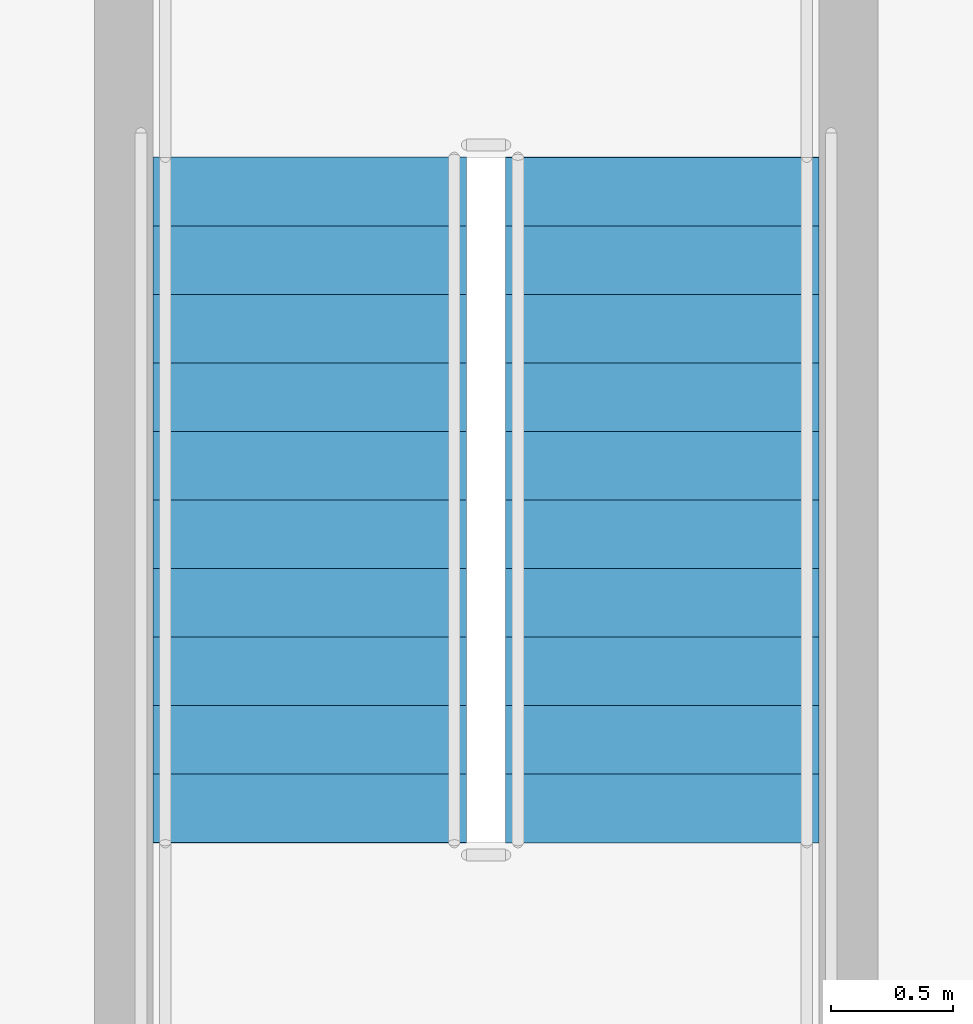
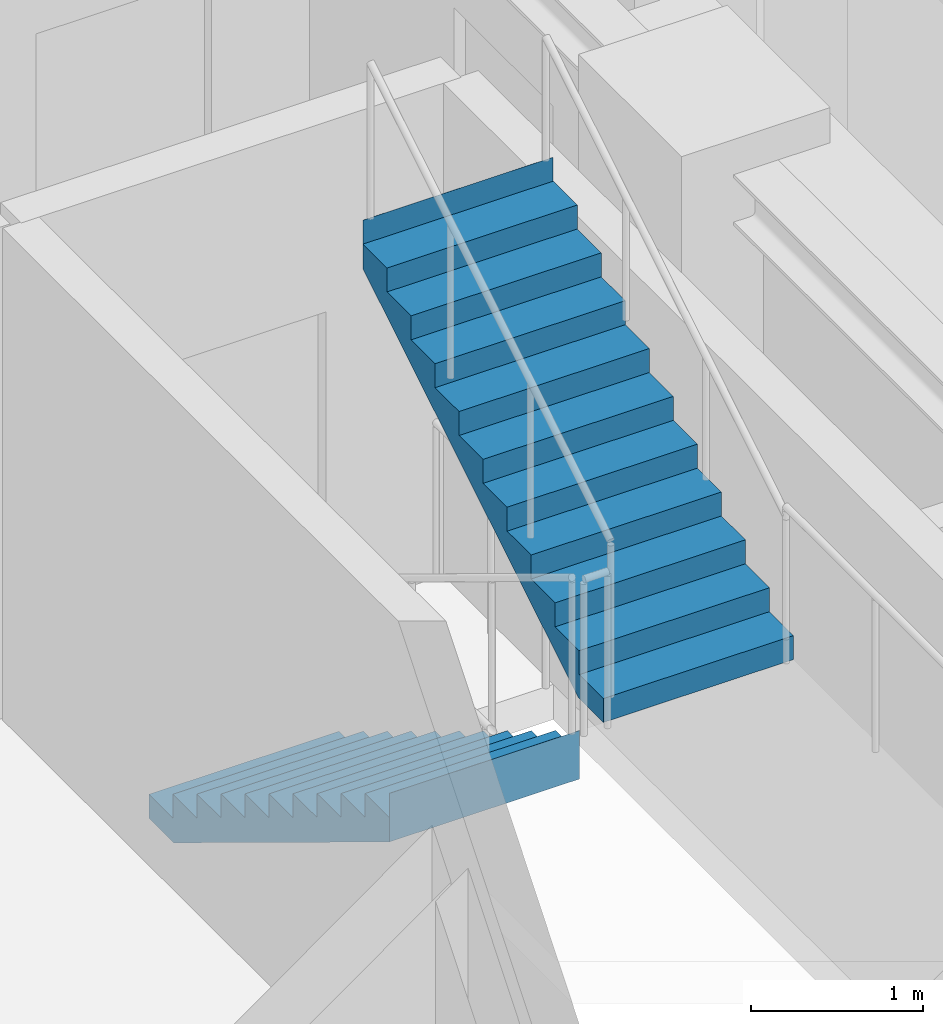
# One storey, part 9 of 12: 2 stair flights, 1 element without a shape of its own.
"""IFC4 building model written with IfcOpenShell, lengths in metres."""

from ifc_helpers import new_model, si_unit, direction, frame, origin, place, context, subcontext, project, spatial, polyline, outline, extrude, material, type_object, element, aggregate, save


model = new_model("IFC4")

# Units and contexts
model_context = context("Model", 3, precision=1e-05, world=origin(), true_north=direction((0.0, 1.0)))
body_context = subcontext(model_context, "Body", "Model", "MODEL_VIEW")
ifc_project = project(units=[si_unit("LENGTHUNIT", "METRE"), si_unit("AREAUNIT", "SQUARE_METRE"), si_unit("VOLUMEUNIT", "CUBIC_METRE"), si_unit("PLANEANGLEUNIT", "RADIAN"), si_unit("MASSUNIT", "GRAM", prefix="KILO")], contexts=[model_context])

# Site, building, storey
site_placement = place(None, origin())
site = spatial("IfcSite", under=ifc_project, at=site_placement, CompositionType="ELEMENT")
building_placement = place(site_placement, origin())
building = spatial("IfcBuilding", under=site, at=building_placement, Name="Ndelora Gate Hotel", CompositionType="ELEMENT")
storey_placement = place(building_placement, frame((0.0, 0.0, 131.0)))
storey = spatial("IfcBuildingStorey", under=building, at=storey_placement, Name="L32", CompositionType="ELEMENT", Elevation=131.0)

# Stair, stair flights
ifc_material = material(Name="Precast concrete C40/50", Category="concrete")
stair_type = type_object("IfcStairType", Name="STR-DOG-CORE", PredefinedType="HALF_TURN_STAIR", material=ifc_material)
stair_placement = place(storey_placement, origin())
stair = element("IfcStair", 1, at=stair_placement, inside=storey, type_object=stair_type, Name="L32 Protected Core Exit Stair ST5", PredefinedType="HALF_TURN_STAIR")
stair_flight_type = type_object("IfcStairFlightType", Name="STF-PRECAST", PredefinedType="STRAIGHT", material=ifc_material)
stair_flight_1_placement = place(storey_placement, frame((4.77001953125, -0.22998046875, 0.0), z_axis=(0.0, 0.0, 1.0), x_axis=(0.0, -1.0, 0.0)))
stair_flight_1 = element("IfcStairFlight", 2, at=stair_flight_1_placement, type_object=stair_flight_type, Name="ST5 flight 1", NumberOfRisers=11, NumberOfTreads=10, PredefinedType="STRAIGHT", RiserHeight=0.170454545, TreadLength=0.28, context=body_context, shape_type="SweptSolid", body=[
    extrude(outline(polyline([(-0.00048828125, 0.0), (-0.00048828125, 0.17041015625), (0.0, 0.17041015625), (0.280029296875, 0.17041015625), (0.280029296875, 0.3408203125), (0.56005859375, 0.3408203125), (0.56005859375, 0.511474609375), (0.840087890625, 0.511474609375), (0.840087890625, 0.681884765625), (1.1201171875, 0.681884765625), (1.1201171875, 0.852294921875), (1.39990234375, 0.852294921875), (1.39990234375, 1.022705078125), (1.679931640625, 1.022705078125), (1.679931640625, 1.193115234375), (1.9599609375, 1.193115234375), (1.9599609375, 1.363525390625), (2.239990234375, 1.363525390625), (2.239990234375, 1.5341796875), (2.52001953125, 1.5341796875), (2.52001953125, 1.70458984375), (2.800048828125, 1.70458984375), (2.800048828125, 1.875), (2.800537109375, 1.875), (2.800537109375, 1.695068359375), (2.800048828125, 1.529052734375), (0.288330078125, 0.0), (-0.00048828125, 0.0)])), frame((0.0, 0.64013671875, 0.0), z_axis=(0.0, -1.0, 0.0), x_axis=(1.0, 0.0, 0.0)), (0.0, 0.0, 1.0), 1.280029296875),
])
stair_flight_2_placement = place(storey_placement, frame((6.2099609375, -3.030029296875, 1.875), z_axis=(0.0, 0.0, 1.0), x_axis=(0.0, 1.0, 0.0)))
stair_flight_2 = element("IfcStairFlight", 3, at=stair_flight_2_placement, type_object=stair_flight_type, Name="ST5 flight 2", NumberOfRisers=11, NumberOfTreads=10, PredefinedType="STRAIGHT", RiserHeight=0.170454545, TreadLength=0.28, context=body_context, shape_type="SweptSolid", body=[
    extrude(outline(polyline([(-0.00048828125, 0.0), (-0.00048828125, 0.17041015625), (0.0, 0.17041015625), (0.280029296875, 0.17041015625), (0.280029296875, 0.3408203125), (0.56005859375, 0.3408203125), (0.56005859375, 0.511474609375), (0.840087890625, 0.511474609375), (0.840087890625, 0.681884765625), (1.1201171875, 0.681884765625), (1.1201171875, 0.852294921875), (1.39990234375, 0.852294921875), (1.39990234375, 1.022705078125), (1.679931640625, 1.022705078125), (1.679931640625, 1.193115234375), (1.9599609375, 1.193115234375), (1.9599609375, 1.363525390625), (2.239990234375, 1.363525390625), (2.239990234375, 1.5341796875), (2.52001953125, 1.5341796875), (2.52001953125, 1.70458984375), (2.800048828125, 1.70458984375), (2.800048828125, 1.875), (2.800537109375, 1.875), (2.800537109375, 1.695068359375), (2.800048828125, 1.529052734375), (0.288330078125, 0.0), (-0.00048828125, 0.0)])), frame((0.0, 0.64013671875, 0.0), z_axis=(0.0, -1.0, 0.0), x_axis=(1.0, 0.0, 0.0)), (0.0, 0.0, 1.0), 1.280029296875),
])
aggregate(stair, [stair_flight_1, stair_flight_2])

save(model, "model.ifc")
